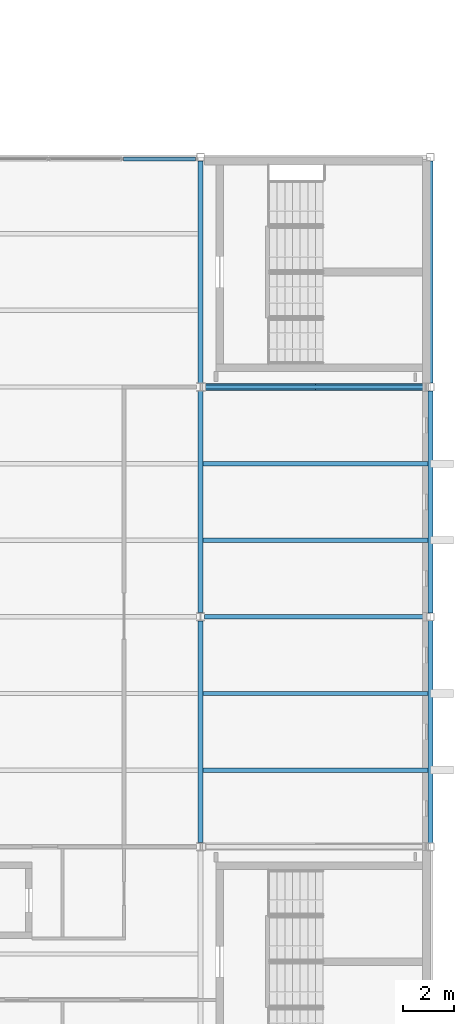
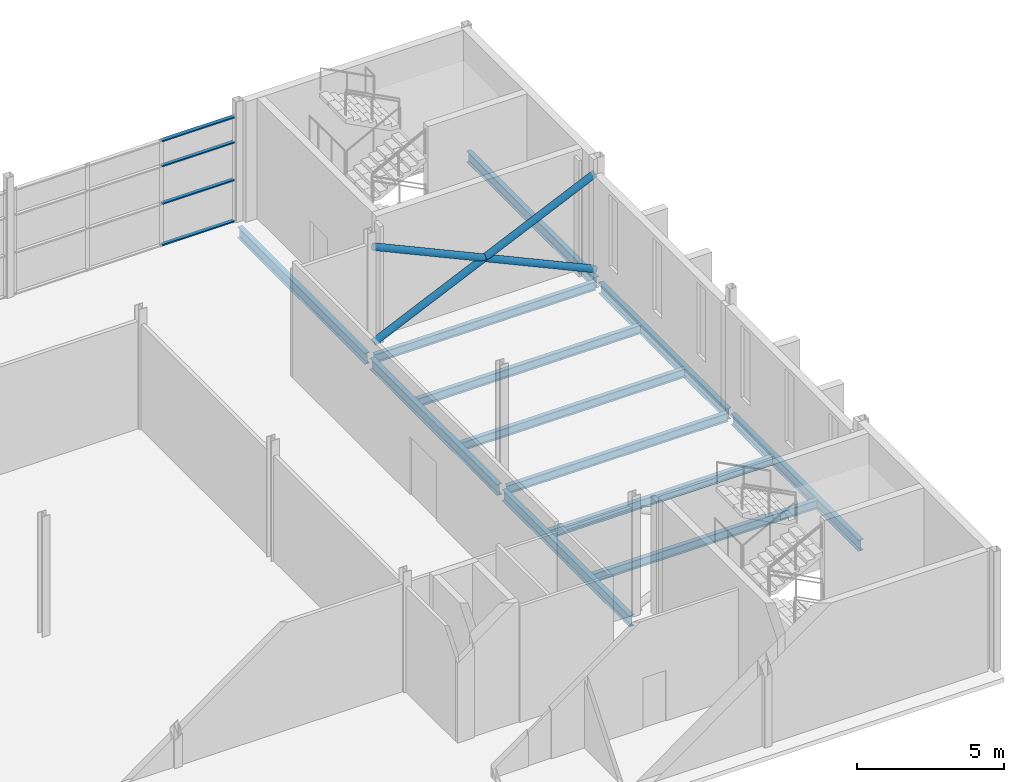
# One storey, part 65 of 112: 12 beams, 6 members, 1 element without a shape of its own.
"""IFC4 building model written with IfcOpenShell, lengths in metres."""

from ifc_helpers import new_model, si_unit, direction, frame, origin, origin_2d, place, context, subcontext, project, spatial, hollow_rectangle, hollow_circle, i_section, extrude, material, layer, layer_set, material_profile, profile_set, type_object, element, aggregate, save


model = new_model("IFC4")

# Units and contexts
model_context = context("Model", 3, precision=1e-05, world=origin(), true_north=direction((0.0, 1.0)))
body_context = subcontext(model_context, "Body", "Model", "MODEL_VIEW")
ifc_project = project(units=[si_unit("LENGTHUNIT", "METRE"), si_unit("AREAUNIT", "SQUARE_METRE"), si_unit("VOLUMEUNIT", "CUBIC_METRE"), si_unit("PLANEANGLEUNIT", "RADIAN"), si_unit("MASSUNIT", "GRAM", prefix="KILO")], contexts=[model_context])

# Site, building, storey
site_placement = place(None, origin())
site = spatial("IfcSite", under=ifc_project, at=site_placement, CompositionType="ELEMENT")
building_placement = place(site_placement, origin())
building = spatial("IfcBuilding", under=site, at=building_placement, Name="Shorebreak Coast Museum", CompositionType="ELEMENT")
storey_placement = place(building_placement, frame((0.0, 0.0, 6.0)))
storey = spatial("IfcBuildingStorey", under=building, at=storey_placement, Name="L01", CompositionType="ELEMENT", Elevation=6.0)

# Beams
ifc_material_1 = material(Name="Steel Grade 300", Category="steel")
ifc_material_profile_1 = material_profile(ifc_material_1, i_section(OverallWidth=0.1708984375, OverallDepth=0.355712890625, WebThickness=0.00732421875, FlangeThickness=0.011474609375, FilletRadius=0.011474609375, at=origin_2d()), Name="360UB50.7")
ifc_profile_set_1 = profile_set([ifc_material_profile_1], Name="Steel Grade 300")
beam_type_1 = type_object("IfcBeamType", Name="Floor girder east-west 360UB50.7", PredefinedType="BEAM", material=ifc_profile_set_1)
for number, where, z_axis, x_axis, name in (
    (1, (162.154541015625, 72.0, -0.352783203125), (1.0, 0.0, 0.0), (0.0, 1.0, 0.0), "Floor girder east-west L01 19J"),
    (2, (162.154541015625, 81.0, -0.352783203125), (1.0, 0.0, 0.0), (0.0, 1.0, 0.0), "Floor girder east-west L01 19K"),
):
    element("IfcBeam", number, at=place(storey_placement, frame(where, z_axis=z_axis, x_axis=x_axis)), inside=storey, type_object=beam_type_1, Name=name, PredefinedType="BEAM", context=body_context, shape_type="SweptSolid", body=[
        extrude(i_section(OverallWidth=0.1708984375, OverallDepth=0.355712890625, WebThickness=0.00732421875, FlangeThickness=0.011474609375, FilletRadius=0.011474609375, at=origin_2d()), origin(), (0.0, 0.0, 1.0), 8.695556640625),
    ])
ifc_material_2 = material(Name="Steel Grade 300", Category="steel")
ifc_material_profile_2 = material_profile(ifc_material_2, i_section(OverallWidth=0.19091796875, OverallDepth=0.46044921875, WebThickness=0.010009765625, FlangeThickness=0.01611328125, FilletRadius=0.011474609375, at=origin_2d()), Name="460UB82.1")
ifc_profile_set_2 = profile_set([ifc_material_profile_2], Name="Steel Grade 300")
beam_type_2 = type_object("IfcBeamType", Name="Floor girder north-south 460UB82.1", PredefinedType="BEAM", material=ifc_profile_set_2)
beam_1_placement = place(storey_placement, frame((162.0, 63.160400390625, -0.4052734375), z_axis=(0.0, 1.0, 0.0), x_axis=(-1.0, 0.0, 0.0)))
element("IfcBeam", 3, at=beam_1_placement, inside=storey, type_object=beam_type_2, Name="Floor girder north-south L01 19H", PredefinedType="BEAM", context=body_context, shape_type="SweptSolid", body=[
    extrude(i_section(OverallWidth=0.19091796875, OverallDepth=0.46044921875, WebThickness=0.010009765625, FlangeThickness=0.01611328125, FilletRadius=0.011474609375, at=origin_2d()), origin(), (0.0, 0.0, 1.0), 8.67919921875),
])
beam_2_placement = place(storey_placement, frame((171.0, 63.14990234375, -0.4052734375), z_axis=(0.0, 1.0, 0.0), x_axis=(-1.0, 0.0, 0.0)))
element("IfcBeam", 4, at=beam_2_placement, inside=storey, type_object=beam_type_2, Name="Floor girder north-south L01 20H", PredefinedType="BEAM", context=body_context, shape_type="SweptSolid", body=[
    extrude(i_section(OverallWidth=0.19091796875, OverallDepth=0.46044921875, WebThickness=0.010009765625, FlangeThickness=0.01611328125, FilletRadius=0.011474609375, at=origin_2d()), origin(), (0.0, 0.0, 1.0), 8.7001953125),
])
beam_3_placement = place(storey_placement, frame((162.0, 72.160400390625, -0.4052734375), z_axis=(0.0, 1.0, 0.0), x_axis=(-1.0, 0.0, 0.0)))
element("IfcBeam", 5, at=beam_3_placement, inside=storey, type_object=beam_type_2, Name="Floor girder north-south L01 19J", PredefinedType="BEAM", context=body_context, shape_type="SweptSolid", body=[
    extrude(i_section(OverallWidth=0.19091796875, OverallDepth=0.46044921875, WebThickness=0.010009765625, FlangeThickness=0.01611328125, FilletRadius=0.011474609375, at=origin_2d()), origin(), (0.0, 0.0, 1.0), 8.67919921875),
])
beam_4_placement = place(storey_placement, frame((171.0, 72.14990234375, -0.4052734375), z_axis=(0.0, 1.0, 0.0), x_axis=(-1.0, 0.0, 0.0)))
element("IfcBeam", 6, at=beam_4_placement, inside=storey, type_object=beam_type_2, Name="Floor girder north-south L01 20J", PredefinedType="BEAM", context=body_context, shape_type="SweptSolid", body=[
    extrude(i_section(OverallWidth=0.19091796875, OverallDepth=0.46044921875, WebThickness=0.010009765625, FlangeThickness=0.01611328125, FilletRadius=0.011474609375, at=origin_2d()), origin(), (0.0, 0.0, 1.0), 8.7001953125),
])
beam_5_placement = place(storey_placement, frame((162.0, 81.160400390625, -0.4052734375), z_axis=(0.0, 1.0, 0.0), x_axis=(-1.0, 0.0, 0.0)))
element("IfcBeam", 7, at=beam_5_placement, inside=storey, type_object=beam_type_2, Name="Floor girder north-south L01 19K", PredefinedType="BEAM", context=body_context, shape_type="SweptSolid", body=[
    extrude(i_section(OverallWidth=0.19091796875, OverallDepth=0.46044921875, WebThickness=0.010009765625, FlangeThickness=0.01611328125, FilletRadius=0.011474609375, at=origin_2d()), origin(), (0.0, 0.0, 1.0), 8.689697265625),
])
beam_6_placement = place(storey_placement, frame((171.0, 81.14990234375, -0.4052734375), z_axis=(0.0, 1.0, 0.0), x_axis=(-1.0, 0.0, 0.0)))
element("IfcBeam", 8, at=beam_6_placement, inside=storey, type_object=beam_type_2, Name="Floor girder north-south L01 20K", PredefinedType="BEAM", context=body_context, shape_type="SweptSolid", body=[
    extrude(i_section(OverallWidth=0.19091796875, OverallDepth=0.46044921875, WebThickness=0.010009765625, FlangeThickness=0.01611328125, FilletRadius=0.011474609375, at=origin_2d()), origin(), (0.0, 0.0, 1.0), 8.7001953125),
])
ifc_material_3 = material(Name="Steel Grade 300", Category="steel")
ifc_material_profile_3 = material_profile(ifc_material_3, i_section(OverallWidth=0.1708984375, OverallDepth=0.355712890625, WebThickness=0.00732421875, FlangeThickness=0.011474609375, FilletRadius=0.011474609375, at=origin_2d()), Name="360UB50.7")
ifc_profile_set_3 = profile_set([ifc_material_profile_3], Name="Steel Grade 300")
beam_type_3 = type_object("IfcBeamType", Name="Floor joist 360UB50.7", PredefinedType="JOIST", material=ifc_profile_set_3)
for number, where, z_axis, x_axis, name in (
    (9, (162.095458984375, 66.0, -0.352783203125), (1.0, 0.0, 0.0), (0.0, 1.0, 0.0), "Floor joist L01 bay 19H at 3000 mm"),
    (10, (162.095458984375, 69.0, -0.352783203125), (1.0, 0.0, 0.0), (0.0, 1.0, 0.0), "Floor joist L01 bay 19H at 6000 mm"),
    (11, (162.095458984375, 75.0, -0.352783203125), (1.0, 0.0, 0.0), (0.0, 1.0, 0.0), "Floor joist L01 bay 19J at 3000 mm"),
    (12, (162.095458984375, 78.0, -0.352783203125), (1.0, 0.0, 0.0), (0.0, 1.0, 0.0), "Floor joist L01 bay 19J at 6000 mm"),
):
    element("IfcBeam", number, at=place(storey_placement, frame(where, z_axis=z_axis, x_axis=x_axis)), inside=storey, type_object=beam_type_3, Name=name, PredefinedType="JOIST", context=body_context, shape_type="SweptSolid", body=[
        extrude(i_section(OverallWidth=0.1708984375, OverallDepth=0.355712890625, WebThickness=0.00732421875, FlangeThickness=0.011474609375, FilletRadius=0.011474609375, at=origin_2d()), origin(), (0.0, 0.0, 1.0), 8.80908203125),
    ])

# Curtain wall, members
ifc_material_4 = material(Name="Aluminium", Category="aluminium")
ifc_layer = layer(ifc_material_4, 0.14990234375)
ifc_layer_set = layer_set([ifc_layer], Name="Aluminium")
curtain_wall_type = type_object("IfcCurtainWallType", Name="Storefront curtain wall", PredefinedType="NOTDEFINED", material=ifc_layer_set)
curtain_wall_placement = place(storey_placement, origin())
curtain_wall = element("IfcCurtainWall", 13, at=curtain_wall_placement, inside=storey, type_object=curtain_wall_type, Name="Storefront L01 N 17", PredefinedType="NOTDEFINED")
ifc_material_5 = material(Name="Aluminium", Category="aluminium")
ifc_material_profile_4 = material_profile(ifc_material_5, hollow_rectangle(XDim=0.14990234375, YDim=0.050048828125, WallThickness=0.00390625, at=origin_2d()), Name="AL 50x150 RHS")
ifc_profile_set_4 = profile_set([ifc_material_profile_4], Name="Aluminium")
member_type_1 = type_object("IfcMemberType", Name="Storefront transom 150 x 50", PredefinedType="USERDEFINED", material=ifc_profile_set_4)
member_1_placement = place(storey_placement, frame((158.97509765625, 89.925048828125, 0.074951171875), z_axis=(1.0, 0.0, 0.0), x_axis=(0.0, 1.0, 0.0)))
member_1 = element("IfcMember", 14, at=member_1_placement, type_object=member_type_1, Name="CW8 transom 3.1", ObjectType="TRANSOM", PredefinedType="USERDEFINED", context=body_context, shape_type="SweptSolid", body=[
    extrude(hollow_rectangle(XDim=0.14990234375, YDim=0.050048828125, WallThickness=0.00390625, at=origin_2d()), origin(), (0.0, 0.0, 1.0), 2.824951171875),
])
member_2_placement = place(storey_placement, frame((158.97509765625, 89.925048828125, 1.787841796875), z_axis=(1.0, 0.0, 0.0), x_axis=(0.0, 1.0, 0.0)))
member_2 = element("IfcMember", 15, at=member_2_placement, type_object=member_type_1, Name="CW8 transom 3.2", ObjectType="TRANSOM", PredefinedType="USERDEFINED", context=body_context, shape_type="SweptSolid", body=[
    extrude(hollow_rectangle(XDim=0.14990234375, YDim=0.050048828125, WallThickness=0.00390625, at=origin_2d()), origin(), (0.0, 0.0, 1.0), 2.824951171875),
])
member_3_placement = place(storey_placement, frame((158.97509765625, 89.925048828125, 3.35205078125), z_axis=(1.0, 0.0, 0.0), x_axis=(0.0, 1.0, 0.0)))
member_3 = element("IfcMember", 16, at=member_3_placement, type_object=member_type_1, Name="CW8 transom 3.3", ObjectType="TRANSOM", PredefinedType="USERDEFINED", context=body_context, shape_type="SweptSolid", body=[
    extrude(hollow_rectangle(XDim=0.14990234375, YDim=0.050048828125, WallThickness=0.00390625, at=origin_2d()), origin(), (0.0, 0.0, 1.0), 2.824951171875),
])
member_4_placement = place(storey_placement, frame((158.97509765625, 89.925048828125, 4.394287109375), z_axis=(1.0, 0.0, 0.0), x_axis=(0.0, 1.0, 0.0)))
member_4 = element("IfcMember", 17, at=member_4_placement, type_object=member_type_1, Name="CW8 transom 3.4", ObjectType="TRANSOM", PredefinedType="USERDEFINED", context=body_context, shape_type="SweptSolid", body=[
    extrude(hollow_rectangle(XDim=0.14990234375, YDim=0.050048828125, WallThickness=0.00390625, at=origin_2d()), origin(), (0.0, 0.0, 1.0), 2.824951171875),
])
aggregate(curtain_wall, [member_1, member_2, member_3, member_4])

# Members
ifc_material_6 = material(Name="Steel Grade C350L0", Category="steel")
ifc_material_profile_5 = material_profile(ifc_material_6, hollow_circle(Radius=0.136474609375, WallThickness=0.00927734375, at=origin_2d()), Name="273.1x9.3 CHS")
ifc_profile_set_5 = profile_set([ifc_material_profile_5], Name="Steel Grade C350L0")
member_type_2 = type_object("IfcMemberType", Name="X-brace 273.1x9.3 CHS", PredefinedType="BRACE", material=ifc_profile_set_5)
for number, where, z_axis, x_axis, name in (
    (18, (162.154541015625, 81.0, 0.300048828125), (0.909484682467, 0.0, 0.415737431991), (0.0, 1.0, 0.0), "X-brace bay 08 L01 diagonal 1"),
    (19, (170.85009765625, 81.0, 0.300048828125), (-0.909484682467, 0.0, 0.415737431991), (0.0, -1.0, 0.0), "X-brace bay 08 L01 diagonal 2"),
):
    element("IfcMember", number, at=place(storey_placement, frame(where, z_axis=z_axis, x_axis=x_axis)), inside=storey, type_object=member_type_2, Name=name, PredefinedType="BRACE", context=body_context, shape_type="SweptSolid", body=[
        extrude(hollow_circle(Radius=0.136474609375, WallThickness=0.00927734375, at=origin_2d()), origin(), (0.0, 0.0, 1.0), 9.56103515625),
    ])

save(model, "model.ifc")
